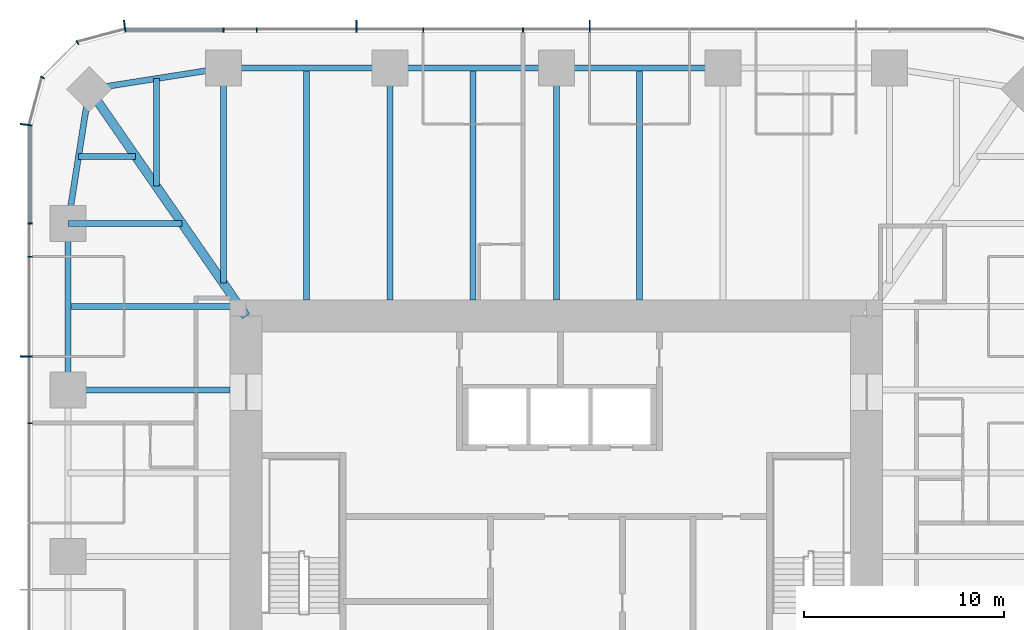
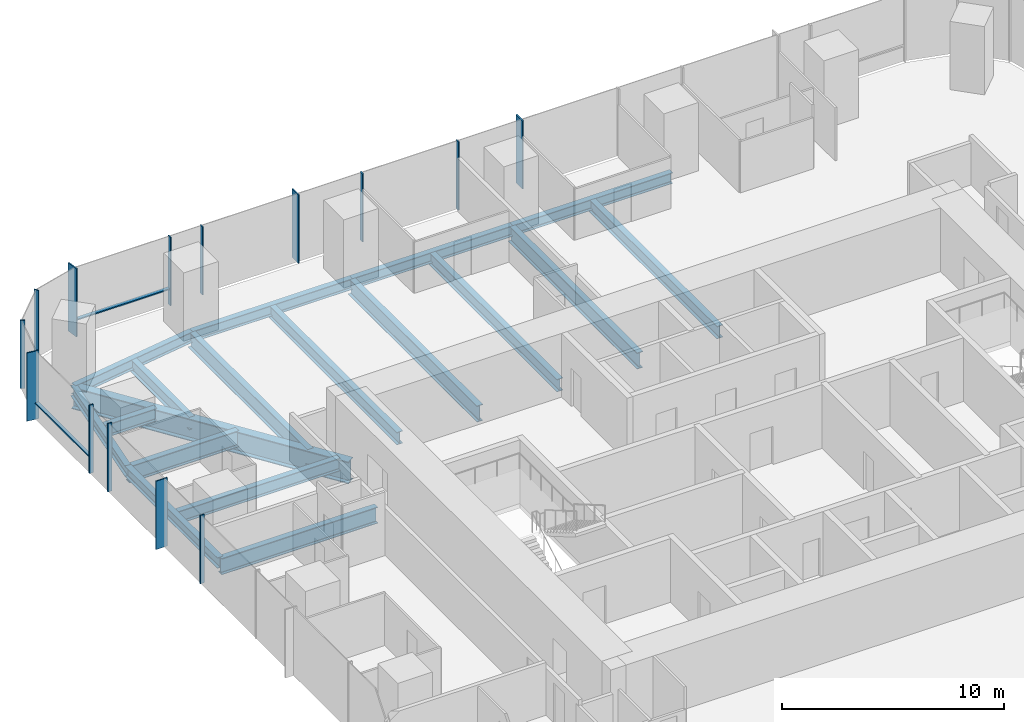
# One storey, part 5 of 12: 18 beams, 16 members, 3 elements without a shape of their own.
"""IFC4 building model written with IfcOpenShell, lengths in metres."""

from ifc_helpers import new_model, si_unit, direction, frame, origin, origin_2d, place, context, subcontext, project, spatial, rectangle, i_section, extrude, material, material_profile, profile_set, type_object, element, aggregate, save


model = new_model("IFC4")

# Units and contexts
model_context = context("Model", 3, precision=1e-05, world=origin(), true_north=direction((0.0, 1.0)))
body_context = subcontext(model_context, "Body", "Model", "MODEL_VIEW")
ifc_project = project(units=[si_unit("LENGTHUNIT", "METRE"), si_unit("AREAUNIT", "SQUARE_METRE"), si_unit("VOLUMEUNIT", "CUBIC_METRE"), si_unit("PLANEANGLEUNIT", "RADIAN"), si_unit("MASSUNIT", "GRAM", prefix="KILO")], contexts=[model_context])

# Site, building, storey
site_placement = place(None, origin())
site = spatial("IfcSite", under=ifc_project, at=site_placement, CompositionType="ELEMENT")
building_placement = place(site_placement, origin())
building = spatial("IfcBuilding", under=site, at=building_placement, Name="Khuree Lantern Residences", CompositionType="ELEMENT")
storey_placement = place(building_placement, frame((0.0, 0.0, 225.75)))
storey = spatial("IfcBuildingStorey", under=building, at=storey_placement, Name="L56", CompositionType="ELEMENT", Elevation=225.75)

# Beams
ifc_material_1 = material(Name="Steel S355", Category="steel")
ifc_material_profile_1 = material_profile(ifc_material_1, i_section(OverallWidth=0.300048828125, OverallDepth=0.68994140625, WebThickness=0.014404296875, FlangeThickness=0.027099609375, FilletRadius=0.027099609375, at=origin_2d()), Name="HE 700 A")
ifc_profile_set_1 = profile_set([ifc_material_profile_1], Name="Steel S355")
beam_type_1 = type_object("IfcBeamType", Name="B-32 SECONDARY BEAM HE 700 A", PredefinedType="BEAM", material=ifc_profile_set_1)
for number, where, z_axis, x_axis, name in (
    (1, (-12.47998046875, 24.39990234375, -0.594970703125), (0.0, -1.0, 0.0), (1.0, 0.0, 0.0), "Secondary beam N1"),
    (2, (-4.159912109375, 24.39990234375, -0.594970703125), (0.0, -1.0, 0.0), (1.0, 0.0, 0.0), "Secondary beam N2"),
    (3, (4.159912109375, 24.39990234375, -0.594970703125), (0.0, -1.0, 0.0), (1.0, 0.0, 0.0), "Secondary beam N3"),
):
    element("IfcBeam", number, at=place(storey_placement, frame(where, z_axis=z_axis, x_axis=x_axis)), inside=storey, type_object=beam_type_1, Name=name, PredefinedType="BEAM", context=body_context, shape_type="SweptSolid", body=[
        extrude(i_section(OverallWidth=0.300048828125, OverallDepth=0.68994140625, WebThickness=0.014404296875, FlangeThickness=0.027099609375, FilletRadius=0.027099609375, at=origin_2d()), origin(), (0.0, 0.0, 1.0), 11.599853515625),
    ])
beam_1_placement = place(storey_placement, frame((-24.39990234375, 12.47998046875, -0.594970703125), z_axis=(1.0, 0.0, 0.0), x_axis=(0.0, 1.0, 0.0)))
element("IfcBeam", 4, at=beam_1_placement, inside=storey, type_object=beam_type_1, Name="Secondary beam W5", PredefinedType="BEAM", context=body_context, shape_type="SweptSolid", body=[
    extrude(i_section(OverallWidth=0.300048828125, OverallDepth=0.68994140625, WebThickness=0.014404296875, FlangeThickness=0.027099609375, FilletRadius=0.027099609375, at=origin_2d()), origin(), (0.0, 0.0, 1.0), 8.56787109375),
])
beam_2_placement = place(storey_placement, frame((-23.872802734375, 19.992919921875, -0.594970703125), z_axis=(1.0, 0.0, 0.0), x_axis=(0.0, 1.0, 0.0)))
element("IfcBeam", 5, at=beam_2_placement, inside=storey, type_object=beam_type_1, Name="Secondary beam W6", PredefinedType="BEAM", context=body_context, shape_type="SweptSolid", body=[
    extrude(i_section(OverallWidth=0.300048828125, OverallDepth=0.68994140625, WebThickness=0.014404296875, FlangeThickness=0.027099609375, FilletRadius=0.027099609375, at=origin_2d()), origin(), (0.0, 0.0, 1.0), 2.845703125),
])
beam_3_placement = place(storey_placement, frame((-19.992919921875, 23.872802734375, -0.594970703125), z_axis=(0.0, -1.0, 0.0), x_axis=(1.0, 0.0, 0.0)))
element("IfcBeam", 6, at=beam_3_placement, inside=storey, type_object=beam_type_1, Name="Secondary beam N6", PredefinedType="BEAM", context=body_context, shape_type="SweptSolid", body=[
    extrude(i_section(OverallWidth=0.300048828125, OverallDepth=0.68994140625, WebThickness=0.014404296875, FlangeThickness=0.027099609375, FilletRadius=0.027099609375, at=origin_2d()), origin(), (0.0, 0.0, 1.0), 5.375732421875),
])
ifc_material_profile_2 = material_profile(ifc_material_1, i_section(OverallWidth=0.300048828125, OverallDepth=0.590087890625, WebThickness=0.012939453125, FlangeThickness=0.02490234375, FilletRadius=0.027099609375, at=origin_2d()), Name="HE 600 A")
ifc_profile_set_2 = profile_set([ifc_material_profile_2], Name="Steel S355")
beam_type_2 = type_object("IfcBeamType", Name="E-32 SPANDREL BEAM HE 600 A", PredefinedType="SPANDREL", material=ifc_profile_set_2)
beam_4_placement = place(storey_placement, frame((-16.639892578125, 24.39990234375, -0.544921875), z_axis=(1.0, 0.0, 0.0), x_axis=(0.0, 1.0, 0.0)))
element("IfcBeam", 7, at=beam_4_placement, inside=storey, type_object=beam_type_2, Name="Spandrel beam N1", PredefinedType="SPANDREL", context=body_context, shape_type="SweptSolid", body=[
    extrude(i_section(OverallWidth=0.300048828125, OverallDepth=0.590087890625, WebThickness=0.012939453125, FlangeThickness=0.02490234375, FilletRadius=0.027099609375, at=origin_2d()), origin(), (0.0, 0.0, 1.0), 8.31982421875),
])
for number, where, z_axis, x_axis, name in (
    (8, (-8.320068359375, 24.39990234375, -0.544921875), (1.0, 0.0, 0.0), (0.0, 1.0, 0.0), "Spandrel beam N2"),
    (9, (0.0, 24.39990234375, -0.544921875), (1.0, 0.0, 0.0), (0.0, 1.0, 0.0), "Spandrel beam N3"),
):
    element("IfcBeam", number, at=place(storey_placement, frame(where, z_axis=z_axis, x_axis=x_axis)), inside=storey, type_object=beam_type_2, Name=name, PredefinedType="SPANDREL", context=body_context, shape_type="SweptSolid", body=[
        extrude(i_section(OverallWidth=0.300048828125, OverallDepth=0.590087890625, WebThickness=0.012939453125, FlangeThickness=0.02490234375, FilletRadius=0.027099609375, at=origin_2d()), origin(), (0.0, 0.0, 1.0), 8.320068359375),
    ])
beam_5_placement = place(storey_placement, frame((-24.39990234375, 8.320068359375, -0.544921875), z_axis=(0.0, 1.0, 0.0), x_axis=(-1.0, 0.0, 0.0)))
element("IfcBeam", 10, at=beam_5_placement, inside=storey, type_object=beam_type_2, Name="Spandrel beam W5", PredefinedType="SPANDREL", context=body_context, shape_type="SweptSolid", body=[
    extrude(i_section(OverallWidth=0.300048828125, OverallDepth=0.590087890625, WebThickness=0.012939453125, FlangeThickness=0.02490234375, FilletRadius=0.027099609375, at=origin_2d()), origin(), (0.0, 0.0, 1.0), 8.31982421875),
])
for number, where, z_axis, x_axis, name in (
    (11, (-24.39990234375, 16.639892578125, -0.544921875), (0.155299507442, 0.98786743189, 0.0), (-0.98786743189, 0.155299507442, 0.0), "Spandrel beam W6"),
    (12, (-23.345703125, 23.345703125, -0.544921875), (0.98786743189, 0.155299507442, 0.0), (-0.155299507442, 0.98786743189, 0.0), "Spandrel beam N6"),
):
    element("IfcBeam", number, at=place(storey_placement, frame(where, z_axis=z_axis, x_axis=x_axis)), inside=storey, type_object=beam_type_2, Name=name, PredefinedType="SPANDREL", context=body_context, shape_type="SweptSolid", body=[
        extrude(i_section(OverallWidth=0.300048828125, OverallDepth=0.590087890625, WebThickness=0.012939453125, FlangeThickness=0.02490234375, FilletRadius=0.027099609375, at=origin_2d()), origin(), (0.0, 0.0, 1.0), 6.7880859375),
    ])

# Curtain wall, members
ifc_material_2 = material(Name="Bronze anodised aluminium", Category="aluminium")
curtain_wall_type_1 = type_object("IfcCurtainWallType", Name="CW-T1 TOWER FACE CURTAIN WALL", PredefinedType="USERDEFINED", material=ifc_material_2)
curtain_wall_1_placement = place(storey_placement, origin())
curtain_wall_1 = element("IfcCurtainWall", 13, at=curtain_wall_1_placement, inside=storey, type_object=curtain_wall_type_1, Name="L56 NORTH FACE CURTAIN WALL", ObjectType="Stick-built curtain wall", PredefinedType="USERDEFINED")
ifc_material_profile_3 = material_profile(ifc_material_2, rectangle(XDim=0.06494140625, YDim=0.60009765625, at=origin_2d()), Name="F1 65X600")
ifc_profile_set_3 = profile_set([ifc_material_profile_3], Name="Bronze anodised aluminium")
member_type_1 = type_object("IfcMemberType", Name="F1 BRONZE FIN MULLION TOWER 65X600", PredefinedType="MULLION", material=ifc_profile_set_3)
member_1_placement = place(storey_placement, frame((1.6640625, 26.5, 0.0), z_axis=(0.0, 0.0, 1.0), x_axis=(-1.0, 0.0, 0.0)))
member_1 = element("IfcMember", 14, at=member_1_placement, type_object=member_type_1, Name="L56 NORTH FACE FIN MULLION 23", PredefinedType="MULLION", context=body_context, shape_type="SweptSolid", body=[
    extrude(rectangle(XDim=0.06494140625, YDim=0.60009765625, at=origin_2d()), origin(), (0.0, 0.0, 1.0), 3.75),
])
member_2_placement = place(storey_placement, frame((-9.98388671875, 26.5, 0.0), z_axis=(0.0, 0.0, 1.0), x_axis=(-1.0, 0.0, 0.0)))
member_2 = element("IfcMember", 15, at=member_2_placement, type_object=member_type_1, Name="L56 NORTH FACE FIN MULLION 26", PredefinedType="MULLION", context=body_context, shape_type="SweptSolid", body=[
    extrude(rectangle(XDim=0.06494140625, YDim=0.60009765625, at=origin_2d()), origin(), (0.0, 0.0, 1.0), 3.75),
])

# Curtain wall, member
curtain_wall_type_2 = type_object("IfcCurtainWallType", Name="CW-T2 TOWER CORNER CURTAIN WALL", PredefinedType="USERDEFINED", material=ifc_material_2)
curtain_wall_2_placement = place(storey_placement, origin())
curtain_wall_2 = element("IfcCurtainWall", 16, at=curtain_wall_2_placement, inside=storey, type_object=curtain_wall_type_2, Name="L56 NORTH-WEST CORNER CURTAIN WALL", ObjectType="Faceted corner curtain wall", PredefinedType="USERDEFINED")
member_3_placement = place(storey_placement, frame((-21.56982421875, 26.5, 0.0), z_axis=(0.0, 0.0, 1.0), x_axis=(-0.991444862943, -0.130526180298, 0.0)))
member_3 = element("IfcMember", 17, at=member_3_placement, type_object=member_type_1, Name="L56 NORTH-WEST CORNER FIN MULLION 29", PredefinedType="MULLION", context=body_context, shape_type="SweptSolid", body=[
    extrude(rectangle(XDim=0.06494140625, YDim=0.60009765625, at=origin_2d()), origin(), (0.0, 0.0, 1.0), 3.75),
])

# Curtain wall, members
curtain_wall_3_placement = place(storey_placement, origin())
curtain_wall_3 = element("IfcCurtainWall", 18, at=curtain_wall_3_placement, inside=storey, type_object=curtain_wall_type_1, Name="L56 WEST FACE CURTAIN WALL", ObjectType="Stick-built curtain wall", PredefinedType="USERDEFINED")
member_4_placement = place(storey_placement, frame((-26.5, 21.56982421875, 0.0), z_axis=(0.0, 0.0, 1.0), x_axis=(-0.130526180298, -0.991444862943, 0.0)))
member_4 = element("IfcMember", 19, at=member_4_placement, type_object=member_type_1, Name="L56 WEST FACE FIN MULLION 32", PredefinedType="MULLION", context=body_context, shape_type="SweptSolid", body=[
    extrude(rectangle(XDim=0.06494140625, YDim=0.60009765625, at=origin_2d()), origin(), (0.0, 0.0, 1.0), 3.75),
])
member_5_placement = place(storey_placement, frame((-26.5, 9.98388671875, 0.0), z_axis=(0.0, 0.0, 1.0), x_axis=(0.0, -1.0, 0.0)))
member_5 = element("IfcMember", 20, at=member_5_placement, type_object=member_type_1, Name="L56 WEST FACE FIN MULLION 35", PredefinedType="MULLION", context=body_context, shape_type="SweptSolid", body=[
    extrude(rectangle(XDim=0.06494140625, YDim=0.60009765625, at=origin_2d()), origin(), (0.0, 0.0, 1.0), 3.75),
])

# Beams
ifc_material_profile_4 = material_profile(ifc_material_1, i_section(OverallWidth=0.300048828125, OverallDepth=0.89990234375, WebThickness=0.0185546875, FlangeThickness=0.034912109375, FilletRadius=0.030029296875, at=origin_2d()), Name="HE 900 B")
ifc_profile_set_4 = profile_set([ifc_material_profile_4], Name="Steel S355")
beam_type_3 = type_object("IfcBeamType", Name="G-32 GIRDER HE 900 B", PredefinedType="BEAM", material=ifc_profile_set_4)
beam_6_placement = place(storey_placement, frame((-16.639892578125, 24.39990234375, -0.699951171875), z_axis=(0.0, -1.0, 0.0), x_axis=(1.0, 0.0, 0.0)))
element("IfcBeam", 21, at=beam_6_placement, inside=storey, type_object=beam_type_3, Name="Girder N1", PredefinedType="BEAM", context=body_context, shape_type="SweptSolid", body=[
    extrude(i_section(OverallWidth=0.300048828125, OverallDepth=0.89990234375, WebThickness=0.0185546875, FlangeThickness=0.034912109375, FilletRadius=0.030029296875, at=origin_2d()), origin(), (0.0, 0.0, 1.0), 10.751220703125),
])
for number, where, z_axis, x_axis, name in (
    (22, (-8.320068359375, 24.39990234375, -0.699951171875), (0.0, -1.0, 0.0), (1.0, 0.0, 0.0), "Girder N2"),
    (23, (0.0, 24.39990234375, -0.699951171875), (0.0, -1.0, 0.0), (1.0, 0.0, 0.0), "Girder N3"),
):
    element("IfcBeam", number, at=place(storey_placement, frame(where, z_axis=z_axis, x_axis=x_axis)), inside=storey, type_object=beam_type_3, Name=name, PredefinedType="BEAM", context=body_context, shape_type="SweptSolid", body=[
        extrude(i_section(OverallWidth=0.300048828125, OverallDepth=0.89990234375, WebThickness=0.0185546875, FlangeThickness=0.034912109375, FilletRadius=0.030029296875, at=origin_2d()), origin(), (0.0, 0.0, 1.0), 11.599853515625),
    ])
beam_7_placement = place(storey_placement, frame((-24.39990234375, 8.320068359375, -0.699951171875), z_axis=(1.0, 0.0, 0.0), x_axis=(0.0, 1.0, 0.0)))
element("IfcBeam", 24, at=beam_7_placement, inside=storey, type_object=beam_type_3, Name="Girder W4", PredefinedType="BEAM", context=body_context, shape_type="SweptSolid", body=[
    extrude(i_section(OverallWidth=0.300048828125, OverallDepth=0.89990234375, WebThickness=0.0185546875, FlangeThickness=0.034912109375, FilletRadius=0.030029296875, at=origin_2d()), origin(), (0.0, 0.0, 1.0), 8.099853515625),
])
beam_8_placement = place(storey_placement, frame((-24.39990234375, 16.639892578125, -0.699951171875), z_axis=(1.0, 0.0, 0.0), x_axis=(0.0, 1.0, 0.0)))
element("IfcBeam", 25, at=beam_8_placement, inside=storey, type_object=beam_type_3, Name="Girder W5", PredefinedType="BEAM", context=body_context, shape_type="SweptSolid", body=[
    extrude(i_section(OverallWidth=0.300048828125, OverallDepth=0.89990234375, WebThickness=0.0185546875, FlangeThickness=0.034912109375, FilletRadius=0.030029296875, at=origin_2d()), origin(), (0.0, 0.0, 1.0), 5.69140625),
])
ifc_material_profile_5 = material_profile(ifc_material_1, i_section(OverallWidth=0.449951171875, OverallDepth=1.199951171875, WebThickness=0.02490234375, FlangeThickness=0.044921875, at=origin_2d()), Name="WELDED I 1200X450X25X45")
ifc_profile_set_5 = profile_set([ifc_material_profile_5], Name="Steel S355")
beam_type_4 = type_object("IfcBeamType", Name="GD-32 CORNER GIRDER WELDED I 1200X450X25X45", PredefinedType="BEAM", material=ifc_profile_set_5)
beam_9_placement = place(storey_placement, frame((-23.345703125, 23.345703125, -0.85009765625), z_axis=(0.56876813501, -0.822497907959, 0.0), x_axis=(0.822497907959, 0.56876813501, 0.0)))
element("IfcBeam", 26, at=beam_9_placement, inside=storey, type_object=beam_type_4, Name="Corner girder NW", PredefinedType="BEAM", context=body_context, shape_type="SweptSolid", body=[
    extrude(i_section(OverallWidth=0.449951171875, OverallDepth=1.199951171875, WebThickness=0.02490234375, FlangeThickness=0.044921875, at=origin_2d()), origin(), (0.0, 0.0, 1.0), 13.794189453125),
])

# Member
ifc_material_profile_6 = material_profile(ifc_material_2, rectangle(XDim=0.06494140625, YDim=0.219970703125, at=origin_2d()), Name="M1 65X220")
ifc_profile_set_6 = profile_set([ifc_material_profile_6], Name="Bronze anodised aluminium")
member_type_2 = type_object("IfcMemberType", Name="M1 BRONZE MULLION TOWER 65X220", PredefinedType="MULLION", material=ifc_profile_set_6)
member_6_placement = place(storey_placement, frame((-1.6640625, 26.31005859375, 0.0), z_axis=(0.0, 0.0, 1.0), x_axis=(-1.0, 0.0, 0.0)))
member_6 = element("IfcMember", 27, at=member_6_placement, type_object=member_type_2, Name="L56 NORTH FACE MULLION 24", PredefinedType="MULLION", context=body_context, shape_type="SweptSolid", body=[
    extrude(rectangle(XDim=0.06494140625, YDim=0.219970703125, at=origin_2d()), origin(), (0.0, 0.0, 1.0), 3.75),
])

member_7_placement = place(storey_placement, frame((-6.656005859375, 26.31005859375, 0.0), z_axis=(0.0, 0.0, 1.0), x_axis=(-1.0, 0.0, 0.0)))
member_7 = element("IfcMember", 28, at=member_7_placement, type_object=member_type_2, Name="L56 NORTH FACE MULLION 25", PredefinedType="MULLION", context=body_context, shape_type="SweptSolid", body=[
    extrude(rectangle(XDim=0.06494140625, YDim=0.219970703125, at=origin_2d()), origin(), (0.0, 0.0, 1.0), 3.75),
])

member_8_placement = place(storey_placement, frame((-14.97607421875, 26.31005859375, 0.0), z_axis=(0.0, 0.0, 1.0), x_axis=(-1.0, 0.0, 0.0)))
member_8 = element("IfcMember", 29, at=member_8_placement, type_object=member_type_2, Name="L56 NORTH FACE MULLION 27", PredefinedType="MULLION", context=body_context, shape_type="SweptSolid", body=[
    extrude(rectangle(XDim=0.06494140625, YDim=0.219970703125, at=origin_2d()), origin(), (0.0, 0.0, 1.0), 3.75),
])

member_9_placement = place(storey_placement, frame((-16.639892578125, 26.31005859375, 0.0), z_axis=(0.0, 0.0, 1.0), x_axis=(-1.0, 0.0, 0.0)))
member_9 = element("IfcMember", 30, at=member_9_placement, type_object=member_type_2, Name="L56 NORTH FACE MULLION 28", PredefinedType="MULLION", context=body_context, shape_type="SweptSolid", body=[
    extrude(rectangle(XDim=0.06494140625, YDim=0.219970703125, at=origin_2d()), origin(), (0.0, 0.0, 1.0), 3.75),
])

member_10_placement = place(storey_placement, frame((-23.929931640625, 25.67236328125, 0.0), z_axis=(0.0, 0.0, 1.0), x_axis=(-0.866025409797, -0.499999989586, 0.0)))
member_10 = element("IfcMember", 31, at=member_10_placement, type_object=member_type_2, Name="L56 NORTH-WEST CORNER MULLION 30", PredefinedType="MULLION", context=body_context, shape_type="SweptSolid", body=[
    extrude(rectangle(XDim=0.06494140625, YDim=0.219970703125, at=origin_2d()), origin(), (0.0, 0.0, 1.0), 3.75),
])

member_11_placement = place(storey_placement, frame((-25.67236328125, 23.929931640625, 0.0), z_axis=(0.0, 0.0, 1.0), x_axis=(-0.499999989586, -0.866025409797, 0.0)))
member_11 = element("IfcMember", 32, at=member_11_placement, type_object=member_type_2, Name="L56 NORTH-WEST CORNER MULLION 31", PredefinedType="MULLION", context=body_context, shape_type="SweptSolid", body=[
    extrude(rectangle(XDim=0.06494140625, YDim=0.219970703125, at=origin_2d()), origin(), (0.0, 0.0, 1.0), 3.75),
])

aggregate(curtain_wall_2, [member_3, member_10, member_11])

member_12_placement = place(storey_placement, frame((-26.31005859375, 16.639892578125, 0.0), z_axis=(0.0, 0.0, 1.0), x_axis=(0.0, -1.0, 0.0)))
member_12 = element("IfcMember", 33, at=member_12_placement, type_object=member_type_2, Name="L56 WEST FACE MULLION 33", PredefinedType="MULLION", context=body_context, shape_type="SweptSolid", body=[
    extrude(rectangle(XDim=0.06494140625, YDim=0.219970703125, at=origin_2d()), origin(), (0.0, 0.0, 1.0), 3.75),
])

member_13_placement = place(storey_placement, frame((-26.31005859375, 14.97607421875, 0.0), z_axis=(0.0, 0.0, 1.0), x_axis=(0.0, -1.0, 0.0)))
member_13 = element("IfcMember", 34, at=member_13_placement, type_object=member_type_2, Name="L56 WEST FACE MULLION 34", PredefinedType="MULLION", context=body_context, shape_type="SweptSolid", body=[
    extrude(rectangle(XDim=0.06494140625, YDim=0.219970703125, at=origin_2d()), origin(), (0.0, 0.0, 1.0), 3.75),
])

member_14_placement = place(storey_placement, frame((-26.31005859375, 6.656005859375, 0.0), z_axis=(0.0, 0.0, 1.0), x_axis=(0.0, -1.0, 0.0)))
member_14 = element("IfcMember", 35, at=member_14_placement, type_object=member_type_2, Name="L56 WEST FACE MULLION 36", PredefinedType="MULLION", context=body_context, shape_type="SweptSolid", body=[
    extrude(rectangle(XDim=0.06494140625, YDim=0.219970703125, at=origin_2d()), origin(), (0.0, 0.0, 1.0), 3.75),
])

ifc_material_profile_7 = material_profile(ifc_material_2, rectangle(XDim=0.179931640625, YDim=0.06494140625, at=origin_2d()), Name="T1 180X65")
ifc_profile_set_7 = profile_set([ifc_material_profile_7], Name="Bronze anodised aluminium")
member_type_3 = type_object("IfcMemberType", Name="TRANSOM T1 TOWER 180X65", PredefinedType="USERDEFINED", material=ifc_profile_set_7)
member_15_placement = place(storey_placement, frame((-16.672607421875, 26.320068359375, 0.89990234375), z_axis=(-1.0, 0.0, 0.0), x_axis=(0.0, -1.0, 0.0)))
member_15 = element("IfcMember", 36, at=member_15_placement, type_object=member_type_3, Name="L56 NORTH FACE TRANSOM 28.1", ObjectType="Transom", PredefinedType="USERDEFINED", context=body_context, shape_type="SweptSolid", body=[
    extrude(rectangle(XDim=0.179931640625, YDim=0.06494140625, at=origin_2d()), origin(), (0.0, 0.0, 1.0), 4.828857421875),
])

aggregate(curtain_wall_1, [member_1, member_6, member_7, member_2, member_8, member_9, member_15])

member_16_placement = place(storey_placement, frame((-26.320068359375, 21.50146484375, 0.89990234375), z_axis=(0.0, -1.0, 0.0), x_axis=(1.0, 0.0, 0.0)))
member_16 = element("IfcMember", 37, at=member_16_placement, type_object=member_type_3, Name="L56 WEST FACE TRANSOM 32.1", ObjectType="Transom", PredefinedType="USERDEFINED", context=body_context, shape_type="SweptSolid", body=[
    extrude(rectangle(XDim=0.179931640625, YDim=0.06494140625, at=origin_2d()), origin(), (0.0, 0.0, 1.0), 4.828857421875),
])

aggregate(curtain_wall_3, [member_4, member_12, member_13, member_5, member_14, member_16])

save(model, "model.ifc")
